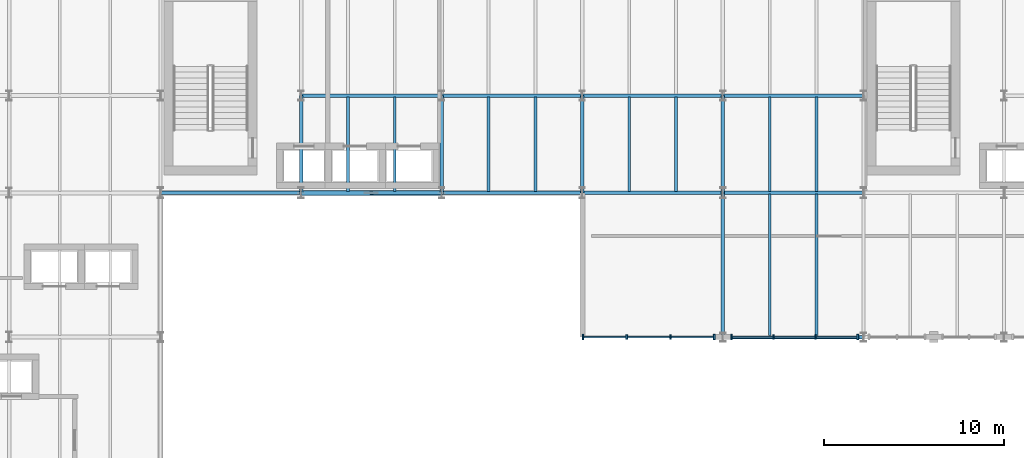
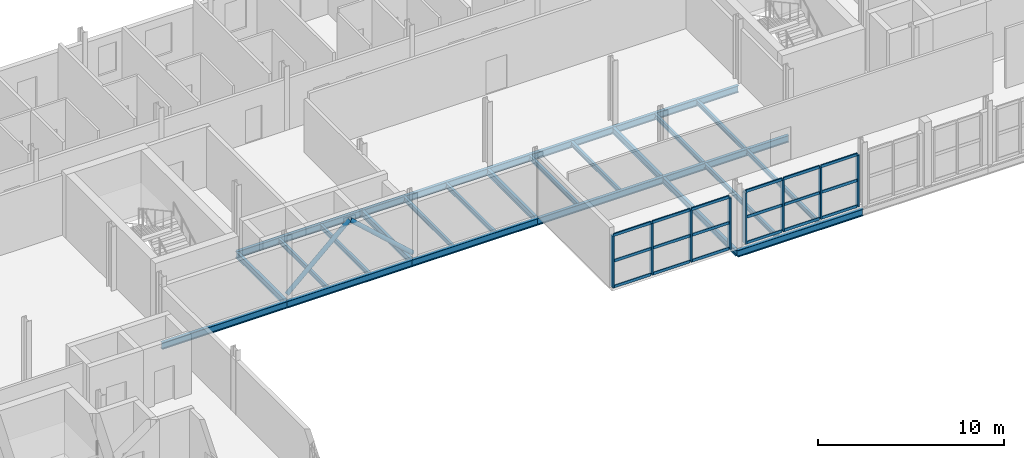
# One storey, part 14 of 45: 28 members, 25 beams, 2 elements without a shape of their own.
"""IFC4 building model written with IfcOpenShell, lengths in metres."""

from ifc_helpers import new_model, si_unit, direction, frame, origin, origin_2d, place, context, subcontext, project, spatial, rectangle, hollow_circle, i_section, extrude, material, layer, layer_set, material_profile, profile_set, type_object, element, aggregate, save


model = new_model("IFC4")

# Units and contexts
model_context = context("Model", 3, precision=1e-05, world=origin(), true_north=direction((0.0, 1.0)))
body_context = subcontext(model_context, "Body", "Model", "MODEL_VIEW")
ifc_project = project(units=[si_unit("LENGTHUNIT", "METRE"), si_unit("AREAUNIT", "SQUARE_METRE"), si_unit("VOLUMEUNIT", "CUBIC_METRE"), si_unit("PLANEANGLEUNIT", "RADIAN"), si_unit("MASSUNIT", "GRAM", prefix="KILO")], contexts=[model_context])

# Site, building, storey
site_placement = place(None, origin())
site = spatial("IfcSite", under=ifc_project, at=site_placement, CompositionType="ELEMENT")
building_placement = place(site_placement, origin())
building = spatial("IfcBuilding", under=site, at=building_placement, Name="Sefraquen Railside Congress Hotel", CompositionType="ELEMENT")
storey_placement = place(building_placement, frame((0.0, 0.0, 20.39990234375)))
storey = spatial("IfcBuildingStorey", under=building, at=storey_placement, Name="L04", CompositionType="ELEMENT", Elevation=20.39990234375)

# Beams
ifc_material_1 = material(Name="Steel S355JR", Category="steel")
ifc_material_profile_1 = material_profile(ifc_material_1, i_section(OverallWidth=0.179931640625, OverallDepth=0.39990234375, WebThickness=0.008544921875, FlangeThickness=0.013427734375, FilletRadius=0.02099609375, at=origin_2d()), Name="IPE 400")
ifc_profile_set_1 = profile_set([ifc_material_profile_1], Name="Steel S355JR")
beam_type_1 = type_object("IfcBeamType", Name="TB-BM-400I", PredefinedType="BEAM", material=ifc_profile_set_1)
for number, where, z_axis, x_axis, name in (
    (1, (33.0, 96.0, -0.47998046875), (0.0, 1.0, 0.0), (-1.0, 0.0, 0.0), "Floor beam BM-L04-1363"),
    (2, (40.800048828125, 96.0, -0.47998046875), (0.0, 1.0, 0.0), (-1.0, 0.0, 0.0), "Floor beam BM-L04-1366"),
    (3, (48.60009765625, 96.0, -0.47998046875), (0.0, 1.0, 0.0), (-1.0, 0.0, 0.0), "Floor beam BM-L04-1369"),
):
    element("IfcBeam", number, at=place(storey_placement, frame(where, z_axis=z_axis, x_axis=x_axis)), inside=storey, type_object=beam_type_1, Name=name, PredefinedType="BEAM", context=body_context, shape_type="SweptSolid", body=[
        extrude(i_section(OverallWidth=0.179931640625, OverallDepth=0.39990234375, WebThickness=0.008544921875, FlangeThickness=0.013427734375, FilletRadius=0.02099609375, at=origin_2d()), origin(), (0.0, 0.0, 1.0), 5.39990234375),
    ])
beam_1_placement = place(storey_placement, frame((56.39990234375, 88.0, -0.47998046875), z_axis=(0.0, 1.0, 0.0), x_axis=(-1.0, 0.0, 0.0)))
element("IfcBeam", 4, at=beam_1_placement, inside=storey, type_object=beam_type_1, Name="Floor beam BM-L04-1372", PredefinedType="BEAM", context=body_context, shape_type="SweptSolid", body=[
    extrude(i_section(OverallWidth=0.179931640625, OverallDepth=0.39990234375, WebThickness=0.008544921875, FlangeThickness=0.013427734375, FilletRadius=0.02099609375, at=origin_2d()), origin(), (0.0, 0.0, 1.0), 8.0),
])
beam_2_placement = place(storey_placement, frame((56.39990234375, 96.0, -0.47998046875), z_axis=(0.0, 1.0, 0.0), x_axis=(-1.0, 0.0, 0.0)))
element("IfcBeam", 5, at=beam_2_placement, inside=storey, type_object=beam_type_1, Name="Floor beam BM-L04-1373", PredefinedType="BEAM", context=body_context, shape_type="SweptSolid", body=[
    extrude(i_section(OverallWidth=0.179931640625, OverallDepth=0.39990234375, WebThickness=0.008544921875, FlangeThickness=0.013427734375, FilletRadius=0.02099609375, at=origin_2d()), origin(), (0.0, 0.0, 1.0), 5.39990234375),
])
ifc_material_profile_2 = material_profile(ifc_material_1, i_section(OverallWidth=0.18994140625, OverallDepth=0.449951171875, WebThickness=0.009521484375, FlangeThickness=0.0146484375, FilletRadius=0.02099609375, at=origin_2d()), Name="IPE 450")
ifc_profile_set_2 = profile_set([ifc_material_profile_2], Name="Steel S355JR")
beam_type_2 = type_object("IfcBeamType", Name="TB-BM-450", PredefinedType="BEAM", material=ifc_profile_set_2)
for number, where, z_axis, x_axis, name in (
    (6, (56.39990234375, 88.0, -0.5048828125), (1.0, 0.0, 0.0), (0.0, 1.0, 0.0), "Primary girder BM-L04-1279"),
    (7, (25.199951171875, 96.0, -0.5048828125), (1.0, 0.0, 0.0), (0.0, 1.0, 0.0), "Primary girder BM-L04-1290"),
    (8, (33.0, 96.0, -0.5048828125), (1.0, 0.0, 0.0), (0.0, 1.0, 0.0), "Primary girder BM-L04-1291"),
    (9, (40.800048828125, 96.0, -0.5048828125), (1.0, 0.0, 0.0), (0.0, 1.0, 0.0), "Primary girder BM-L04-1292"),
):
    element("IfcBeam", number, at=place(storey_placement, frame(where, z_axis=z_axis, x_axis=x_axis)), inside=storey, type_object=beam_type_2, Name=name, PredefinedType="BEAM", context=body_context, shape_type="SweptSolid", body=[
        extrude(i_section(OverallWidth=0.18994140625, OverallDepth=0.449951171875, WebThickness=0.009521484375, FlangeThickness=0.0146484375, FilletRadius=0.02099609375, at=origin_2d()), origin(), (0.0, 0.0, 1.0), 7.800048828125),
    ])
beam_3_placement = place(storey_placement, frame((48.60009765625, 96.0, -0.5048828125), z_axis=(1.0, 0.0, 0.0), x_axis=(0.0, 1.0, 0.0)))
element("IfcBeam", 10, at=beam_3_placement, inside=storey, type_object=beam_type_2, Name="Primary girder BM-L04-1293", PredefinedType="BEAM", context=body_context, shape_type="SweptSolid", body=[
    extrude(i_section(OverallWidth=0.18994140625, OverallDepth=0.449951171875, WebThickness=0.009521484375, FlangeThickness=0.0146484375, FilletRadius=0.02099609375, at=origin_2d()), origin(), (0.0, 0.0, 1.0), 7.7998046875),
])
for number, where, z_axis, x_axis, name in (
    (11, (56.39990234375, 96.0, -0.5048828125), (1.0, 0.0, 0.0), (0.0, 1.0, 0.0), "Primary girder BM-L04-1294"),
    (12, (33.0, 101.39990234375, -0.5048828125), (1.0, 0.0, 0.0), (0.0, 1.0, 0.0), "Primary girder BM-L04-1305"),
    (13, (40.800048828125, 101.39990234375, -0.5048828125), (1.0, 0.0, 0.0), (0.0, 1.0, 0.0), "Primary girder BM-L04-1306"),
):
    element("IfcBeam", number, at=place(storey_placement, frame(where, z_axis=z_axis, x_axis=x_axis)), inside=storey, type_object=beam_type_2, Name=name, PredefinedType="BEAM", context=body_context, shape_type="SweptSolid", body=[
        extrude(i_section(OverallWidth=0.18994140625, OverallDepth=0.449951171875, WebThickness=0.009521484375, FlangeThickness=0.0146484375, FilletRadius=0.02099609375, at=origin_2d()), origin(), (0.0, 0.0, 1.0), 7.800048828125),
    ])
beam_4_placement = place(storey_placement, frame((48.60009765625, 101.39990234375, -0.5048828125), z_axis=(1.0, 0.0, 0.0), x_axis=(0.0, 1.0, 0.0)))
element("IfcBeam", 14, at=beam_4_placement, inside=storey, type_object=beam_type_2, Name="Primary girder BM-L04-1307", PredefinedType="BEAM", context=body_context, shape_type="SweptSolid", body=[
    extrude(i_section(OverallWidth=0.18994140625, OverallDepth=0.449951171875, WebThickness=0.009521484375, FlangeThickness=0.0146484375, FilletRadius=0.02099609375, at=origin_2d()), origin(), (0.0, 0.0, 1.0), 7.7998046875),
])
beam_5_placement = place(storey_placement, frame((56.39990234375, 101.39990234375, -0.5048828125), z_axis=(1.0, 0.0, 0.0), x_axis=(0.0, 1.0, 0.0)))
element("IfcBeam", 15, at=beam_5_placement, inside=storey, type_object=beam_type_2, Name="Primary girder BM-L04-1308", PredefinedType="BEAM", context=body_context, shape_type="SweptSolid", body=[
    extrude(i_section(OverallWidth=0.18994140625, OverallDepth=0.449951171875, WebThickness=0.009521484375, FlangeThickness=0.0146484375, FilletRadius=0.02099609375, at=origin_2d()), origin(), (0.0, 0.0, 1.0), 7.800048828125),
])
ifc_material_profile_3 = material_profile(ifc_material_1, i_section(OverallWidth=0.14990234375, OverallDepth=0.300048828125, WebThickness=0.007080078125, FlangeThickness=0.0107421875, FilletRadius=0.014892578125, at=origin_2d()), Name="IPE 300")
ifc_profile_set_3 = profile_set([ifc_material_profile_3], Name="Steel S355JR")
beam_type_3 = type_object("IfcBeamType", Name="TB-JST-300", PredefinedType="JOIST", material=ifc_profile_set_3)
for number, where, z_axis, x_axis, name in (
    (16, (35.60009765625, 96.074951171875, -0.429931640625), (0.0, 1.0, 0.0), (-1.0, 0.0, 0.0), "Composite floor joist BM-L04-J0850"),
    (17, (38.199951171875, 96.074951171875, -0.429931640625), (0.0, 1.0, 0.0), (-1.0, 0.0, 0.0), "Composite floor joist BM-L04-J0851"),
    (18, (43.39990234375, 96.074951171875, -0.429931640625), (0.0, 1.0, 0.0), (-1.0, 0.0, 0.0), "Composite floor joist BM-L04-J0856"),
    (19, (46.0, 96.074951171875, -0.429931640625), (0.0, 1.0, 0.0), (-1.0, 0.0, 0.0), "Composite floor joist BM-L04-J0857"),
    (20, (51.199951171875, 96.074951171875, -0.429931640625), (0.0, 1.0, 0.0), (-1.0, 0.0, 0.0), "Composite floor joist BM-L04-J0862"),
    (21, (53.800048828125, 96.074951171875, -0.429931640625), (0.0, 1.0, 0.0), (-1.0, 0.0, 0.0), "Composite floor joist BM-L04-J0863"),
):
    element("IfcBeam", number, at=place(storey_placement, frame(where, z_axis=z_axis, x_axis=x_axis)), inside=storey, type_object=beam_type_3, Name=name, PredefinedType="JOIST", context=body_context, shape_type="SweptSolid", body=[
        extrude(i_section(OverallWidth=0.14990234375, OverallDepth=0.300048828125, WebThickness=0.007080078125, FlangeThickness=0.0107421875, FilletRadius=0.014892578125, at=origin_2d()), origin(), (0.0, 0.0, 1.0), 5.25),
    ])
for number, where, z_axis, x_axis, name in (
    (22, (59.0, 88.074951171875, -0.429931640625), (0.0, 1.0, 0.0), (-1.0, 0.0, 0.0), "Composite floor joist BM-L04-J0868"),
    (23, (61.60009765625, 88.074951171875, -0.429931640625), (0.0, 1.0, 0.0), (-1.0, 0.0, 0.0), "Composite floor joist BM-L04-J0869"),
):
    element("IfcBeam", number, at=place(storey_placement, frame(where, z_axis=z_axis, x_axis=x_axis)), inside=storey, type_object=beam_type_3, Name=name, PredefinedType="JOIST", context=body_context, shape_type="SweptSolid", body=[
        extrude(i_section(OverallWidth=0.14990234375, OverallDepth=0.300048828125, WebThickness=0.007080078125, FlangeThickness=0.0107421875, FilletRadius=0.014892578125, at=origin_2d()), origin(), (0.0, 0.0, 1.0), 7.85009765625),
    ])
for number, where, z_axis, x_axis, name in (
    (24, (59.0, 96.074951171875, -0.429931640625), (0.0, 1.0, 0.0), (-1.0, 0.0, 0.0), "Composite floor joist BM-L04-J0870"),
    (25, (61.60009765625, 96.074951171875, -0.429931640625), (0.0, 1.0, 0.0), (-1.0, 0.0, 0.0), "Composite floor joist BM-L04-J0871"),
):
    element("IfcBeam", number, at=place(storey_placement, frame(where, z_axis=z_axis, x_axis=x_axis)), inside=storey, type_object=beam_type_3, Name=name, PredefinedType="JOIST", context=body_context, shape_type="SweptSolid", body=[
        extrude(i_section(OverallWidth=0.14990234375, OverallDepth=0.300048828125, WebThickness=0.007080078125, FlangeThickness=0.0107421875, FilletRadius=0.014892578125, at=origin_2d()), origin(), (0.0, 0.0, 1.0), 5.25),
    ])

# Members
ifc_material_2 = material(Name="Steel S355J2", Category="steel")
ifc_material_profile_4 = material_profile(ifc_material_2, hollow_circle(Radius=0.136474609375, WallThickness=0.012451171875, at=origin_2d()), Name="CHS 273x12.5")
ifc_profile_set_4 = profile_set([ifc_material_profile_4], Name="Steel S355J2")
member_type_1 = type_object("IfcMemberType", Name="TM-BR-273", PredefinedType="BRACE", material=ifc_profile_set_4)
for number, where, z_axis, x_axis, name in (
    (26, (33.0, 96.0, 0.150146484375), (0.740443247498, 0.0, 0.672118886235), (0.0, 1.0, 0.0), "Chevron braced-frame diagonal BF1-L L04"),
    (27, (40.800048828125, 96.0, 0.150146484375), (-0.740464186112, 0.0, 0.672095818381), (0.0, -1.0, 0.0), "Chevron braced-frame diagonal BF1-R L04"),
):
    element("IfcMember", number, at=place(storey_placement, frame(where, z_axis=z_axis, x_axis=x_axis)), inside=storey, type_object=member_type_1, Name=name, PredefinedType="BRACE", context=body_context, shape_type="SweptSolid", body=[
        extrude(hollow_circle(Radius=0.136474609375, WallThickness=0.012451171875, at=origin_2d()), origin(), (0.0, 0.0, 1.0), 5.26708984375),
    ])

# Curtain wall, members
ifc_material_3 = material(Name="Thermally broken anodised aluminium and low-E double glazing", Category="aluminium")
ifc_layer = layer(ifc_material_3, 0.199951171875)
ifc_layer_set = layer_set([ifc_layer], Name="Thermally broken anodised aluminium and low-E double glazing")
curtain_wall_type = type_object("IfcCurtainWallType", Name="TCW-UCW-05", PredefinedType="USERDEFINED", material=ifc_layer_set)
curtain_wall_1_placement = place(storey_placement, origin())
curtain_wall_1 = element("IfcCurtainWall", 28, at=curtain_wall_1_placement, inside=storey, type_object=curtain_wall_type, Name="Meeting Wing L04 courtyard north curtain wall 1", ObjectType="UNITISED CURTAIN WALL", PredefinedType="USERDEFINED")
ifc_material_4 = material(Name="Thermally broken anodised aluminium 6063-T6", Category="aluminium")
ifc_material_profile_5 = material_profile(ifc_material_4, rectangle(XDim=0.0849609375, YDim=0.260009765625, at=origin_2d()), Name="CWM 85x260")
ifc_profile_set_5 = profile_set([ifc_material_profile_5], Name="Thermally broken anodised aluminium 6063-T6")
member_type_2 = type_object("IfcMemberType", Name="TM-CWM-06", PredefinedType="MULLION", material=ifc_profile_set_5)
member_1_placement = place(storey_placement, frame((51.066650390625, 88.0, 0.0), z_axis=(0.0, 0.0, 1.0), x_axis=(1.0, 0.0, 0.0)))
member_1 = element("IfcMember", 29, at=member_1_placement, type_object=member_type_2, Name="CW-L04-069 mullion 2", PredefinedType="MULLION", context=body_context, shape_type="SweptSolid", body=[
    extrude(rectangle(XDim=0.0849609375, YDim=0.260009765625, at=origin_2d()), origin(), (0.0, 0.0, 1.0), 3.39013671875),
])
member_2_placement = place(storey_placement, frame((53.493408203125, 88.0, 0.0), z_axis=(0.0, 0.0, 1.0), x_axis=(1.0, 0.0, 0.0)))
member_2 = element("IfcMember", 30, at=member_2_placement, type_object=member_type_2, Name="CW-L04-069 mullion 3", PredefinedType="MULLION", context=body_context, shape_type="SweptSolid", body=[
    extrude(rectangle(XDim=0.0849609375, YDim=0.260009765625, at=origin_2d()), origin(), (0.0, 0.0, 1.0), 3.39013671875),
])

curtain_wall_2_placement = place(storey_placement, origin())
curtain_wall_2 = element("IfcCurtainWall", 31, at=curtain_wall_2_placement, inside=storey, type_object=curtain_wall_type, Name="Meeting Wing L04 courtyard north curtain wall 1 bay 2", ObjectType="UNITISED CURTAIN WALL", PredefinedType="USERDEFINED")
member_3_placement = place(storey_placement, frame((59.216796875, 88.0, 0.0), z_axis=(0.0, 0.0, 1.0), x_axis=(1.0, 0.0, 0.0)))
member_3 = element("IfcMember", 32, at=member_3_placement, type_object=member_type_2, Name="CW-L04-069-S2 mullion 2", PredefinedType="MULLION", context=body_context, shape_type="SweptSolid", body=[
    extrude(rectangle(XDim=0.0849609375, YDim=0.260009765625, at=origin_2d()), origin(), (0.0, 0.0, 1.0), 3.39013671875),
])
member_4_placement = place(storey_placement, frame((61.55322265625, 88.0, 0.0), z_axis=(0.0, 0.0, 1.0), x_axis=(1.0, 0.0, 0.0)))
member_4 = element("IfcMember", 33, at=member_4_placement, type_object=member_type_2, Name="CW-L04-069-S2 mullion 3", PredefinedType="MULLION", context=body_context, shape_type="SweptSolid", body=[
    extrude(rectangle(XDim=0.0849609375, YDim=0.260009765625, at=origin_2d()), origin(), (0.0, 0.0, 1.0), 3.39013671875),
])

# Member
ifc_material_profile_6 = material_profile(ifc_material_4, rectangle(XDim=0.094970703125, YDim=0.300048828125, at=origin_2d()), Name="CWM 95x300")
ifc_profile_set_6 = profile_set([ifc_material_profile_6], Name="Thermally broken anodised aluminium 6063-T6")
member_type_3 = type_object("IfcMemberType", Name="TM-CWM-08", PredefinedType="MULLION", material=ifc_profile_set_6)
member_5_placement = place(storey_placement, frame((48.639892578125, 88.0, 0.0), z_axis=(0.0, 0.0, 1.0), x_axis=(1.0, 0.0, 0.0)))
member_5 = element("IfcMember", 34, at=member_5_placement, type_object=member_type_3, Name="CW-L04-069 mullion 1", PredefinedType="MULLION", context=body_context, shape_type="SweptSolid", body=[
    extrude(rectangle(XDim=0.094970703125, YDim=0.300048828125, at=origin_2d()), origin(), (0.0, 0.0, 1.0), 3.39013671875),
])

member_6_placement = place(storey_placement, frame((55.919921875, 88.0, 0.0), z_axis=(0.0, 0.0, 1.0), x_axis=(1.0, 0.0, 0.0)))
member_6 = element("IfcMember", 35, at=member_6_placement, type_object=member_type_3, Name="CW-L04-069 mullion 4", PredefinedType="MULLION", context=body_context, shape_type="SweptSolid", body=[
    extrude(rectangle(XDim=0.094970703125, YDim=0.300048828125, at=origin_2d()), origin(), (0.0, 0.0, 1.0), 3.39013671875),
])

member_7_placement = place(storey_placement, frame((56.8798828125, 88.0, 0.0), z_axis=(0.0, 0.0, 1.0), x_axis=(1.0, 0.0, 0.0)))
member_7 = element("IfcMember", 36, at=member_7_placement, type_object=member_type_3, Name="CW-L04-069-S2 mullion 1", PredefinedType="MULLION", context=body_context, shape_type="SweptSolid", body=[
    extrude(rectangle(XDim=0.094970703125, YDim=0.300048828125, at=origin_2d()), origin(), (0.0, 0.0, 1.0), 3.39013671875),
])

member_8_placement = place(storey_placement, frame((63.889892578125, 88.0, 0.0), z_axis=(0.0, 0.0, 1.0), x_axis=(1.0, 0.0, 0.0)))
member_8 = element("IfcMember", 37, at=member_8_placement, type_object=member_type_3, Name="CW-L04-069-S2 mullion 4", PredefinedType="MULLION", context=body_context, shape_type="SweptSolid", body=[
    extrude(rectangle(XDim=0.094970703125, YDim=0.300048828125, at=origin_2d()), origin(), (0.0, 0.0, 1.0), 3.39013671875),
])

ifc_material_profile_7 = material_profile(ifc_material_4, rectangle(XDim=0.080078125, YDim=0.179931640625, at=origin_2d()), Name="CWT 80x180")
ifc_profile_set_7 = profile_set([ifc_material_profile_7], Name="Thermally broken anodised aluminium 6063-T6")
member_type_4 = type_object("IfcMemberType", Name="TM-CWT-05", PredefinedType="USERDEFINED", material=ifc_profile_set_7)
member_9_placement = place(storey_placement, frame((48.68505859375, 88.0, 0.0), z_axis=(1.0, 0.0, 0.0), x_axis=(0.0, 1.0, 0.0)))
member_9 = element("IfcMember", 38, at=member_9_placement, type_object=member_type_4, Name="CW-L04-069 transom 1.1", ObjectType="TRANSOM", PredefinedType="USERDEFINED", context=body_context, shape_type="SweptSolid", body=[
    extrude(rectangle(XDim=0.080078125, YDim=0.179931640625, at=origin_2d()), origin(), (0.0, 0.0, 1.0), 2.336669921875),
])

member_10_placement = place(storey_placement, frame((51.11181640625, 88.0, 0.0), z_axis=(1.0, 0.0, 0.0), x_axis=(0.0, 1.0, 0.0)))
member_10 = element("IfcMember", 39, at=member_10_placement, type_object=member_type_4, Name="CW-L04-069 transom 1.2", ObjectType="TRANSOM", PredefinedType="USERDEFINED", context=body_context, shape_type="SweptSolid", body=[
    extrude(rectangle(XDim=0.080078125, YDim=0.179931640625, at=origin_2d()), origin(), (0.0, 0.0, 1.0), 2.33642578125),
])

member_11_placement = place(storey_placement, frame((53.538330078125, 88.0, 0.0), z_axis=(1.0, 0.0, 0.0), x_axis=(0.0, 1.0, 0.0)))
member_11 = element("IfcMember", 40, at=member_11_placement, type_object=member_type_4, Name="CW-L04-069 transom 1.3", ObjectType="TRANSOM", PredefinedType="USERDEFINED", context=body_context, shape_type="SweptSolid", body=[
    extrude(rectangle(XDim=0.080078125, YDim=0.179931640625, at=origin_2d()), origin(), (0.0, 0.0, 1.0), 2.336669921875),
])

member_12_placement = place(storey_placement, frame((48.68505859375, 88.0, 1.695068359375), z_axis=(1.0, 0.0, 0.0), x_axis=(0.0, 1.0, 0.0)))
member_12 = element("IfcMember", 41, at=member_12_placement, type_object=member_type_4, Name="CW-L04-069 transom 2.1", ObjectType="TRANSOM", PredefinedType="USERDEFINED", context=body_context, shape_type="SweptSolid", body=[
    extrude(rectangle(XDim=0.080078125, YDim=0.179931640625, at=origin_2d()), origin(), (0.0, 0.0, 1.0), 2.336669921875),
])

member_13_placement = place(storey_placement, frame((51.11181640625, 88.0, 1.695068359375), z_axis=(1.0, 0.0, 0.0), x_axis=(0.0, 1.0, 0.0)))
member_13 = element("IfcMember", 42, at=member_13_placement, type_object=member_type_4, Name="CW-L04-069 transom 2.2", ObjectType="TRANSOM", PredefinedType="USERDEFINED", context=body_context, shape_type="SweptSolid", body=[
    extrude(rectangle(XDim=0.080078125, YDim=0.179931640625, at=origin_2d()), origin(), (0.0, 0.0, 1.0), 2.33642578125),
])

member_14_placement = place(storey_placement, frame((53.538330078125, 88.0, 1.695068359375), z_axis=(1.0, 0.0, 0.0), x_axis=(0.0, 1.0, 0.0)))
member_14 = element("IfcMember", 43, at=member_14_placement, type_object=member_type_4, Name="CW-L04-069 transom 2.3", ObjectType="TRANSOM", PredefinedType="USERDEFINED", context=body_context, shape_type="SweptSolid", body=[
    extrude(rectangle(XDim=0.080078125, YDim=0.179931640625, at=origin_2d()), origin(), (0.0, 0.0, 1.0), 2.336669921875),
])

member_15_placement = place(storey_placement, frame((48.68505859375, 88.0, 3.39013671875), z_axis=(1.0, 0.0, 0.0), x_axis=(0.0, 1.0, 0.0)))
member_15 = element("IfcMember", 44, at=member_15_placement, type_object=member_type_4, Name="CW-L04-069 transom 3.1", ObjectType="TRANSOM", PredefinedType="USERDEFINED", context=body_context, shape_type="SweptSolid", body=[
    extrude(rectangle(XDim=0.080078125, YDim=0.179931640625, at=origin_2d()), origin(), (0.0, 0.0, 1.0), 2.336669921875),
])

member_16_placement = place(storey_placement, frame((51.11181640625, 88.0, 3.39013671875), z_axis=(1.0, 0.0, 0.0), x_axis=(0.0, 1.0, 0.0)))
member_16 = element("IfcMember", 45, at=member_16_placement, type_object=member_type_4, Name="CW-L04-069 transom 3.2", ObjectType="TRANSOM", PredefinedType="USERDEFINED", context=body_context, shape_type="SweptSolid", body=[
    extrude(rectangle(XDim=0.080078125, YDim=0.179931640625, at=origin_2d()), origin(), (0.0, 0.0, 1.0), 2.33642578125),
])

member_17_placement = place(storey_placement, frame((53.538330078125, 88.0, 3.39013671875), z_axis=(1.0, 0.0, 0.0), x_axis=(0.0, 1.0, 0.0)))
member_17 = element("IfcMember", 46, at=member_17_placement, type_object=member_type_4, Name="CW-L04-069 transom 3.3", ObjectType="TRANSOM", PredefinedType="USERDEFINED", context=body_context, shape_type="SweptSolid", body=[
    extrude(rectangle(XDim=0.080078125, YDim=0.179931640625, at=origin_2d()), origin(), (0.0, 0.0, 1.0), 2.336669921875),
])

aggregate(curtain_wall_1, [member_5, member_1, member_2, member_6, member_9, member_10, member_11, member_12, member_13, member_14, member_15, member_16, member_17])

member_18_placement = place(storey_placement, frame((56.925048828125, 88.0, 0.0), z_axis=(1.0, 0.0, 0.0), x_axis=(0.0, 1.0, 0.0)))
member_18 = element("IfcMember", 47, at=member_18_placement, type_object=member_type_4, Name="CW-L04-069-S2 transom 1.1", ObjectType="TRANSOM", PredefinedType="USERDEFINED", context=body_context, shape_type="SweptSolid", body=[
    extrude(rectangle(XDim=0.080078125, YDim=0.179931640625, at=origin_2d()), origin(), (0.0, 0.0, 1.0), 2.24658203125),
])

member_19_placement = place(storey_placement, frame((59.26171875, 88.0, 0.0), z_axis=(1.0, 0.0, 0.0), x_axis=(0.0, 1.0, 0.0)))
member_19 = element("IfcMember", 48, at=member_19_placement, type_object=member_type_4, Name="CW-L04-069-S2 transom 1.2", ObjectType="TRANSOM", PredefinedType="USERDEFINED", context=body_context, shape_type="SweptSolid", body=[
    extrude(rectangle(XDim=0.080078125, YDim=0.179931640625, at=origin_2d()), origin(), (0.0, 0.0, 1.0), 2.24658203125),
])

member_20_placement = place(storey_placement, frame((61.598388671875, 88.0, 0.0), z_axis=(1.0, 0.0, 0.0), x_axis=(0.0, 1.0, 0.0)))
member_20 = element("IfcMember", 49, at=member_20_placement, type_object=member_type_4, Name="CW-L04-069-S2 transom 1.3", ObjectType="TRANSOM", PredefinedType="USERDEFINED", context=body_context, shape_type="SweptSolid", body=[
    extrude(rectangle(XDim=0.080078125, YDim=0.179931640625, at=origin_2d()), origin(), (0.0, 0.0, 1.0), 2.24658203125),
])

member_21_placement = place(storey_placement, frame((56.925048828125, 88.0, 1.695068359375), z_axis=(1.0, 0.0, 0.0), x_axis=(0.0, 1.0, 0.0)))
member_21 = element("IfcMember", 50, at=member_21_placement, type_object=member_type_4, Name="CW-L04-069-S2 transom 2.1", ObjectType="TRANSOM", PredefinedType="USERDEFINED", context=body_context, shape_type="SweptSolid", body=[
    extrude(rectangle(XDim=0.080078125, YDim=0.179931640625, at=origin_2d()), origin(), (0.0, 0.0, 1.0), 2.24658203125),
])

member_22_placement = place(storey_placement, frame((59.26171875, 88.0, 1.695068359375), z_axis=(1.0, 0.0, 0.0), x_axis=(0.0, 1.0, 0.0)))
member_22 = element("IfcMember", 51, at=member_22_placement, type_object=member_type_4, Name="CW-L04-069-S2 transom 2.2", ObjectType="TRANSOM", PredefinedType="USERDEFINED", context=body_context, shape_type="SweptSolid", body=[
    extrude(rectangle(XDim=0.080078125, YDim=0.179931640625, at=origin_2d()), origin(), (0.0, 0.0, 1.0), 2.24658203125),
])

member_23_placement = place(storey_placement, frame((61.598388671875, 88.0, 1.695068359375), z_axis=(1.0, 0.0, 0.0), x_axis=(0.0, 1.0, 0.0)))
member_23 = element("IfcMember", 52, at=member_23_placement, type_object=member_type_4, Name="CW-L04-069-S2 transom 2.3", ObjectType="TRANSOM", PredefinedType="USERDEFINED", context=body_context, shape_type="SweptSolid", body=[
    extrude(rectangle(XDim=0.080078125, YDim=0.179931640625, at=origin_2d()), origin(), (0.0, 0.0, 1.0), 2.24658203125),
])

member_24_placement = place(storey_placement, frame((56.925048828125, 88.0, 3.39013671875), z_axis=(1.0, 0.0, 0.0), x_axis=(0.0, 1.0, 0.0)))
member_24 = element("IfcMember", 53, at=member_24_placement, type_object=member_type_4, Name="CW-L04-069-S2 transom 3.1", ObjectType="TRANSOM", PredefinedType="USERDEFINED", context=body_context, shape_type="SweptSolid", body=[
    extrude(rectangle(XDim=0.080078125, YDim=0.179931640625, at=origin_2d()), origin(), (0.0, 0.0, 1.0), 2.24658203125),
])

member_25_placement = place(storey_placement, frame((59.26171875, 88.0, 3.39013671875), z_axis=(1.0, 0.0, 0.0), x_axis=(0.0, 1.0, 0.0)))
member_25 = element("IfcMember", 54, at=member_25_placement, type_object=member_type_4, Name="CW-L04-069-S2 transom 3.2", ObjectType="TRANSOM", PredefinedType="USERDEFINED", context=body_context, shape_type="SweptSolid", body=[
    extrude(rectangle(XDim=0.080078125, YDim=0.179931640625, at=origin_2d()), origin(), (0.0, 0.0, 1.0), 2.24658203125),
])

member_26_placement = place(storey_placement, frame((61.598388671875, 88.0, 3.39013671875), z_axis=(1.0, 0.0, 0.0), x_axis=(0.0, 1.0, 0.0)))
member_26 = element("IfcMember", 55, at=member_26_placement, type_object=member_type_4, Name="CW-L04-069-S2 transom 3.3", ObjectType="TRANSOM", PredefinedType="USERDEFINED", context=body_context, shape_type="SweptSolid", body=[
    extrude(rectangle(XDim=0.080078125, YDim=0.179931640625, at=origin_2d()), origin(), (0.0, 0.0, 1.0), 2.24658203125),
])

aggregate(curtain_wall_2, [member_7, member_3, member_4, member_8, member_18, member_19, member_20, member_21, member_22, member_23, member_24, member_25, member_26])

save(model, "model.ifc")
